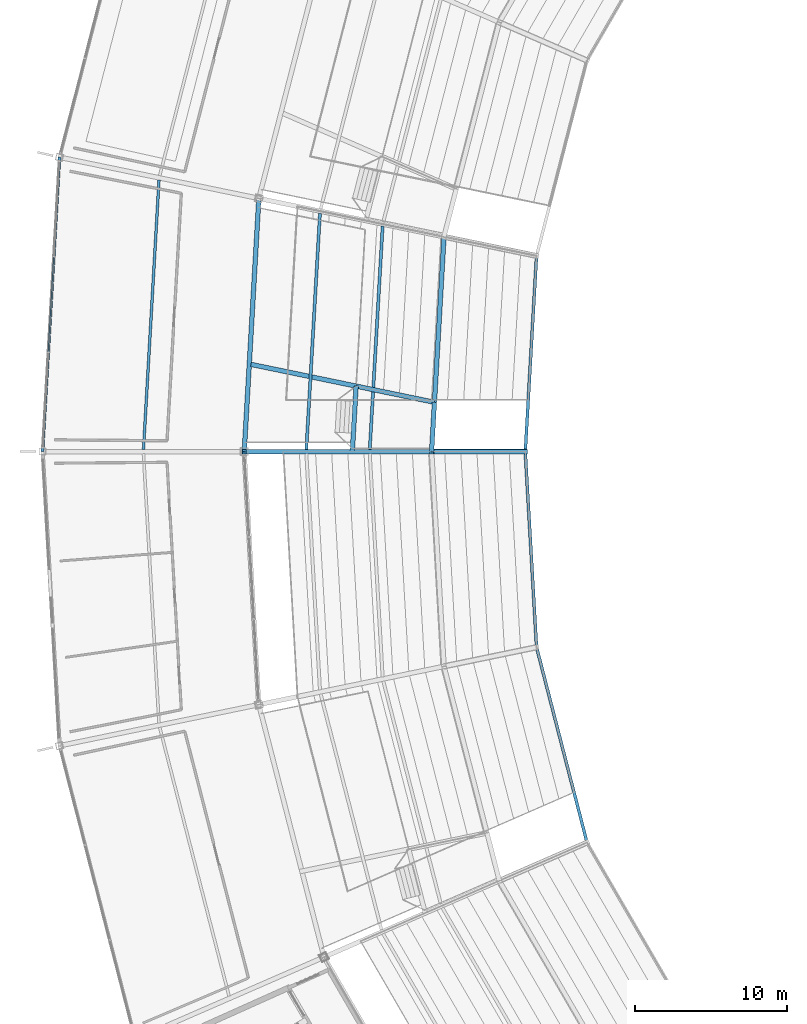
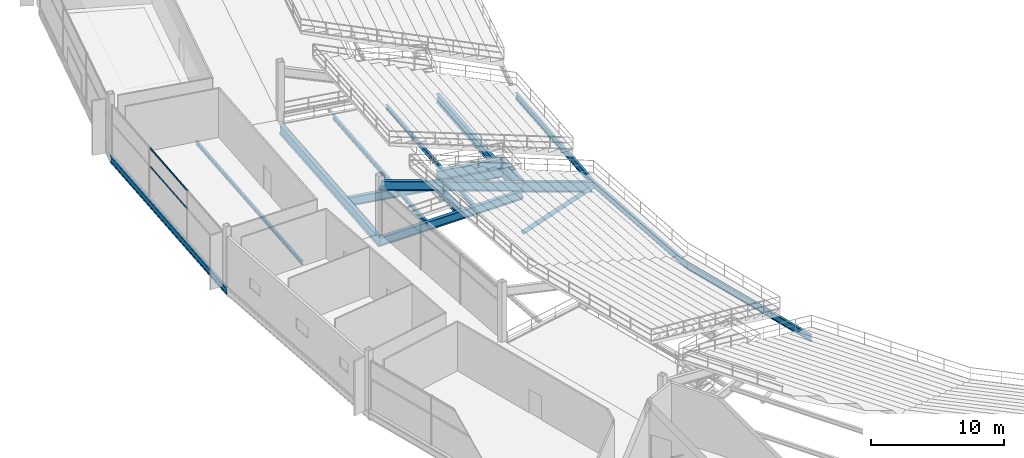
# One storey, part 48 of 186: 16 beams, 3 members, 1 element without a shape of its own.
"""IFC4 building model written with IfcOpenShell, lengths in metres."""

from ifc_helpers import new_model, si_unit, direction, frame, origin, origin_2d, place, context, subcontext, project, spatial, hollow_rectangle, hollow_circle, i_section, extrude, material, layer, layer_set, material_profile, profile_set, type_object, element, aggregate, save


model = new_model("IFC4")

# Units and contexts
model_context = context("Model", 3, precision=1e-05, world=origin(), true_north=direction((0.0, 1.0)))
body_context = subcontext(model_context, "Body", "Model", "MODEL_VIEW")
ifc_project = project(units=[si_unit("LENGTHUNIT", "METRE"), si_unit("AREAUNIT", "SQUARE_METRE"), si_unit("VOLUMEUNIT", "CUBIC_METRE"), si_unit("PLANEANGLEUNIT", "RADIAN"), si_unit("MASSUNIT", "GRAM", prefix="KILO")], contexts=[model_context])

# Site, building, storey
site_placement = place(None, origin())
site = spatial("IfcSite", under=ifc_project, at=site_placement, CompositionType="ELEMENT")
building_placement = place(site_placement, origin())
building = spatial("IfcBuilding", under=site, at=building_placement, Name="Kazemori Nagisa Stadium", CompositionType="ELEMENT")
storey_placement = place(building_placement, frame((0.0, 0.0, 20.39990234375)))
storey = spatial("IfcBuildingStorey", under=building, at=storey_placement, Name="L04", CompositionType="ELEMENT", Elevation=20.39990234375)

# Beams
ifc_material_1 = material(Name="Steel SN490B", Category="steel")
ifc_material_profile_1 = material_profile(ifc_material_1, i_section(OverallWidth=0.300048828125, OverallDepth=0.800048828125, WebThickness=0.013916015625, FlangeThickness=0.02587890625, FilletRadius=0.01806640625, at=origin_2d()), Name="H-800x300x14x26")
ifc_profile_set_1 = profile_set([ifc_material_profile_1], Name="Steel SN490B")
beam_type_1 = type_object("IfcBeamType", Name="Beam_BG-H800", PredefinedType="BEAM", material=ifc_profile_set_1)
beam_1_placement = place(storey_placement, frame((54.467041015625, 116.160400390625, -0.699951171875), z_axis=(-0.057610061423, -0.998339161219, 0.0), x_axis=(0.998339161219, -0.057610061423, 0.0)))
element("IfcBeam", 1, at=beam_1_placement, inside=storey, type_object=beam_type_1, Name="Ring girder BG-H800 L04 R1-14", PredefinedType="BEAM", context=body_context, shape_type="SweptSolid", body=[
    extrude(i_section(OverallWidth=0.300048828125, OverallDepth=0.800048828125, WebThickness=0.013916015625, FlangeThickness=0.02587890625, FilletRadius=0.01806640625, at=origin_2d()), origin(), (0.0, 0.0, 1.0), 14.183837890625),
])
for number, where, z_axis, x_axis, name in (
    (2, (53.64990234375, 102.0, -0.699951171875), (-1.0, 0.0, 0.0), (0.0, -1.0, 0.0), "Radial girder BG-H800 L04 R1-R2-15"),
    (3, (53.837158203125, 105.24462890625, -0.699951171875), (-0.979313132452, 0.202350657538, 0.0), (-0.202350657538, -0.979313132452, 0.0), "Upper vomitory radial carrier girder B14"),
):
    element("IfcBeam", number, at=place(storey_placement, frame(where, z_axis=z_axis, x_axis=x_axis)), inside=storey, type_object=beam_type_1, Name=name, PredefinedType="BEAM", context=body_context, shape_type="SweptSolid", body=[
        extrude(i_section(OverallWidth=0.300048828125, OverallDepth=0.800048828125, WebThickness=0.013916015625, FlangeThickness=0.02587890625, FilletRadius=0.01806640625, at=origin_2d()), origin(), (0.0, 0.0, 1.0), 12.349853515625),
    ])
ifc_material_profile_2 = material_profile(ifc_material_1, i_section(OverallWidth=0.300048828125, OverallDepth=0.89990234375, WebThickness=0.01611328125, FlangeThickness=0.028076171875, FilletRadius=0.01806640625, at=origin_2d()), Name="H-900x300x16x28")
ifc_profile_set_2 = profile_set([ifc_material_profile_2], Name="Steel SN490B")
beam_type_2 = type_object("IfcBeamType", Name="Beam_BG-H900", PredefinedType="BEAM", material=ifc_profile_set_2)
beam_2_placement = place(storey_placement, frame((42.262451171875, 118.68212890625, -0.75), z_axis=(-0.057594854854, -0.998340038611, 0.0), x_axis=(0.998340038611, -0.057594854854, 0.0)))
element("IfcBeam", 4, at=beam_2_placement, inside=storey, type_object=beam_type_2, Name="Ring girder BG-H900 L04 R2-14", PredefinedType="BEAM", context=body_context, shape_type="SweptSolid", body=[
    extrude(i_section(OverallWidth=0.300048828125, OverallDepth=0.89990234375, WebThickness=0.01611328125, FlangeThickness=0.028076171875, FilletRadius=0.01806640625, at=origin_2d()), origin(), (0.0, 0.0, 1.0), 16.7099609375),
])
ifc_material_profile_3 = material_profile(ifc_material_1, i_section(OverallWidth=0.300048828125, OverallDepth=0.89990234375, WebThickness=0.01806640625, FlangeThickness=0.031982421875, FilletRadius=0.01806640625, at=origin_2d()), Name="H-900x300x18x32")
ifc_profile_set_3 = profile_set([ifc_material_profile_3], Name="Steel SN490B")
beam_type_3 = type_object("IfcBeamType", Name="Beam_BG-TR900", PredefinedType="BEAM", material=ifc_profile_set_3)
beam_3_placement = place(storey_placement, frame((53.837158203125, 105.24462890625, 0.150146484375), z_axis=(-0.979312342256, 0.202354481803, 0.0), x_axis=(-0.202354481803, -0.979312342256, 0.0)))
element("IfcBeam", 5, at=beam_3_placement, inside=storey, type_object=beam_type_3, Name="Upper vomitory left transfer girder B14", PredefinedType="BEAM", context=body_context, shape_type="SweptSolid", body=[
    extrude(i_section(OverallWidth=0.300048828125, OverallDepth=0.89990234375, WebThickness=0.01806640625, FlangeThickness=0.031982421875, FilletRadius=0.01806640625, at=origin_2d()), origin(), (0.0, 0.0, 1.0), 5.2724609375),
])
beam_4_placement = place(storey_placement, frame((48.673828125, 106.3115234375, -0.75), z_axis=(-0.057605203337, -0.998339441547, 0.0), x_axis=(0.998339441547, -0.057605203337, 0.0)))
element("IfcBeam", 6, at=beam_4_placement, inside=storey, type_object=beam_type_3, Name="Upper vomitory portal header girder B14", PredefinedType="BEAM", context=body_context, shape_type="SweptSolid", body=[
    extrude(i_section(OverallWidth=0.300048828125, OverallDepth=0.89990234375, WebThickness=0.01806640625, FlangeThickness=0.031982421875, FilletRadius=0.01806640625, at=origin_2d()), origin(), (0.0, 0.0, 1.0), 4.318603515625),
])
beam_5_placement = place(storey_placement, frame((53.837158203125, 105.24462890625, 0.150146484375), z_axis=(-0.057616692486, -0.998338778545, 0.0), x_axis=(0.998338778545, -0.057616692486, 0.0)))
element("IfcBeam", 7, at=beam_5_placement, inside=storey, type_object=beam_type_3, Name="Upper vomitory inner sill girder B14", PredefinedType="BEAM", context=body_context, shape_type="SweptSolid", body=[
    extrude(i_section(OverallWidth=0.300048828125, OverallDepth=0.89990234375, WebThickness=0.01806640625, FlangeThickness=0.031982421875, FilletRadius=0.01806640625, at=origin_2d()), origin(), (0.0, 0.0, 1.0), 3.25),
])
ifc_material_profile_4 = material_profile(ifc_material_1, i_section(OverallWidth=0.175048828125, OverallDepth=0.35009765625, WebThickness=0.007080078125, FlangeThickness=0.010986328125, FilletRadius=0.012939453125, at=origin_2d()), Name="H-350x175x7x11")
ifc_profile_set_4 = profile_set([ifc_material_profile_4], Name="Steel SN490B")
beam_type_4 = type_object("IfcBeamType", Name="Beam_BJ-H350", PredefinedType="JOIST", material=ifc_profile_set_4)
beam_6_placement = place(storey_placement, frame((35.6826171875, 119.89501953125, -0.474853515625), z_axis=(-0.057603114818, -0.998339562055, 0.0), x_axis=(0.998339562055, -0.057603114818, 0.0)))
element("IfcBeam", 8, at=beam_6_placement, inside=storey, type_object=beam_type_4, Name="Outer bay joist BJ-H350 L04 B14", PredefinedType="JOIST", context=body_context, shape_type="SweptSolid", body=[
    extrude(i_section(OverallWidth=0.175048828125, OverallDepth=0.35009765625, WebThickness=0.007080078125, FlangeThickness=0.010986328125, FilletRadius=0.012939453125, at=origin_2d()), origin(), (0.0, 0.0, 1.0), 17.77978515625),
])
ifc_material_profile_5 = material_profile(ifc_material_1, i_section(OverallWidth=0.199951171875, OverallDepth=0.39990234375, WebThickness=0.008056640625, FlangeThickness=0.012939453125, FilletRadius=0.012939453125, at=origin_2d()), Name="H-400x200x8x13")
ifc_profile_set_5 = profile_set([ifc_material_profile_5], Name="Steel SN490B")
beam_type_5 = type_object("IfcBeamType", Name="Beam_BJ-H400", PredefinedType="JOIST", material=ifc_profile_set_5)
beam_7_placement = place(storey_placement, frame((50.421875, 116.849609375, -0.5), z_axis=(-0.057615279138, -0.998338860112, 0.0), x_axis=(0.998338860112, -0.057615279138, 0.0)))
element("IfcBeam", 9, at=beam_7_placement, inside=storey, type_object=beam_type_5, Name="Concourse joist BJ-H400 L04 B14-1", PredefinedType="JOIST", context=body_context, shape_type="SweptSolid", body=[
    extrude(i_section(OverallWidth=0.199951171875, OverallDepth=0.39990234375, WebThickness=0.008056640625, FlangeThickness=0.012939453125, FilletRadius=0.012939453125, at=origin_2d()), origin(), (0.0, 0.0, 1.0), 14.729248046875),
])
beam_8_placement = place(storey_placement, frame((46.291015625, 117.703125, -0.5), z_axis=(-0.057603441248, -0.99833954322, 0.0), x_axis=(0.99833954322, -0.057603441248, 0.0)))
element("IfcBeam", 10, at=beam_8_placement, inside=storey, type_object=beam_type_5, Name="Concourse joist BJ-H400 L04 B14-2", PredefinedType="JOIST", context=body_context, shape_type="SweptSolid", body=[
    extrude(i_section(OverallWidth=0.199951171875, OverallDepth=0.39990234375, WebThickness=0.008056640625, FlangeThickness=0.012939453125, FilletRadius=0.012939453125, at=origin_2d()), origin(), (0.0, 0.0, 1.0), 15.584228515625),
])
ifc_material_profile_6 = material_profile(ifc_material_1, i_section(OverallWidth=0.199951171875, OverallDepth=0.60009765625, WebThickness=0.010986328125, FlangeThickness=0.01708984375, FilletRadius=0.012939453125, at=origin_2d()), Name="H-600x200x11x17")
ifc_profile_set_6 = profile_set([ifc_material_profile_6], Name="Steel SN490B")
beam_type_6 = type_object("IfcBeamType", Name="Beam_BS-H600", PredefinedType="SPANDREL", material=ifc_profile_set_6)
beam_9_placement = place(storey_placement, frame((29.119140625, 121.397705078125, -0.599853515625), z_axis=(-0.057598702622, -0.998339816624, 0.0), x_axis=(0.998339816624, -0.057598702622, 0.0)))
element("IfcBeam", 11, at=beam_9_placement, inside=storey, type_object=beam_type_6, Name="Ring girder BS-H600 L04 R3-14", PredefinedType="SPANDREL", context=body_context, shape_type="SweptSolid", body=[
    extrude(i_section(OverallWidth=0.199951171875, OverallDepth=0.60009765625, WebThickness=0.010986328125, FlangeThickness=0.01708984375, FilletRadius=0.012939453125, at=origin_2d()), origin(), (0.0, 0.0, 1.0), 19.429931640625),
])
for number, where, z_axis, x_axis, name in (
    (12, (60.5693359375, 114.8994140625, -1.885009765625), (-0.057611021531, -0.998339105814, 0.0), (0.998339105814, -0.057611021531, 0.0), "Upper tier front ring beam 14"),
    (13, (59.824951171875, 102.0, -1.885009765625), (0.057611021531, -0.998339105814, 0.0), (0.998339105814, 0.057611021531, 0.0), "Upper tier front ring beam 15"),
):
    element("IfcBeam", number, at=place(storey_placement, frame(where, z_axis=z_axis, x_axis=x_axis)), inside=storey, type_object=beam_type_6, Name=name, PredefinedType="SPANDREL", context=body_context, shape_type="SweptSolid", body=[
        extrude(i_section(OverallWidth=0.199951171875, OverallDepth=0.60009765625, WebThickness=0.010986328125, FlangeThickness=0.01708984375, FilletRadius=0.012939453125, at=origin_2d()), origin(), (0.0, 0.0, 1.0), 12.9208984375),
    ])
beam_10_placement = place(storey_placement, frame((60.5693359375, 89.1005859375, -1.885009765625), z_axis=(0.249962460732, -0.968255528373, 0.0), x_axis=(0.968255528373, 0.249962460732, 0.0)))
element("IfcBeam", 14, at=beam_10_placement, inside=storey, type_object=beam_type_6, Name="Upper tier front ring beam 16", PredefinedType="SPANDREL", context=body_context, shape_type="SweptSolid", body=[
    extrude(i_section(OverallWidth=0.199951171875, OverallDepth=0.60009765625, WebThickness=0.010986328125, FlangeThickness=0.01708984375, FilletRadius=0.012939453125, at=origin_2d()), origin(), (0.0, 0.0, 1.0), 13.291015625),
])
ifc_material_profile_7 = material_profile(ifc_material_1, i_section(OverallWidth=0.300048828125, OverallDepth=0.800048828125, WebThickness=0.013916015625, FlangeThickness=0.02587890625, FilletRadius=0.01806640625, at=origin_2d()), Name="H-800x300x14x26")
ifc_profile_set_7 = profile_set([ifc_material_profile_7], Name="Steel SN490B")
beam_type_7 = type_object("IfcBeamType", Name="Beam_RK-ST800", PredefinedType="USERDEFINED", material=ifc_profile_set_7)
beam_11_placement = place(storey_placement, frame((53.64990234375, 102.0, 0.02001953125), z_axis=(-0.941269901804, 0.0, 0.337655107999), x_axis=(0.0, -1.0, 0.0)))
element("IfcBeam", 15, at=beam_11_placement, inside=storey, type_object=beam_type_7, Name="Raker beam upper backspan RK3-15B", ObjectType="RAKER BEAM", PredefinedType="USERDEFINED", context=body_context, shape_type="SweptSolid", body=[
    extrude(i_section(OverallWidth=0.300048828125, OverallDepth=0.800048828125, WebThickness=0.013916015625, FlangeThickness=0.02587890625, FilletRadius=0.01806640625, at=origin_2d()), origin(), (0.0, 0.0, 1.0), 13.120361328125),
])
ifc_material_profile_8 = material_profile(ifc_material_1, i_section(OverallWidth=0.300048828125, OverallDepth=0.89990234375, WebThickness=0.01611328125, FlangeThickness=0.028076171875, FilletRadius=0.01806640625, at=origin_2d()), Name="H-900x300x16x28")
ifc_profile_set_8 = profile_set([ifc_material_profile_8], Name="Steel SN490B")
beam_type_8 = type_object("IfcBeamType", Name="Beam_RK-ST900", PredefinedType="USERDEFINED", material=ifc_profile_set_8)
beam_12_placement = place(storey_placement, frame((59.824951171875, 102.0, -2.14990234375), z_axis=(-0.94344532031, 0.0, 0.331528170123), x_axis=(0.0, -1.0, 0.0)))
element("IfcBeam", 16, at=beam_12_placement, inside=storey, type_object=beam_type_8, Name="Raker beam upper cantilever RK3-15A", ObjectType="RAKER BEAM", PredefinedType="USERDEFINED", context=body_context, shape_type="SweptSolid", body=[
    extrude(i_section(OverallWidth=0.300048828125, OverallDepth=0.89990234375, WebThickness=0.01611328125, FlangeThickness=0.028076171875, FilletRadius=0.01806640625, at=origin_2d()), origin(), (0.0, 0.0, 1.0), 6.545166015625),
])

# Member
ifc_material_2 = material(Name="Steel STK490", Category="steel")
ifc_material_profile_9 = material_profile(ifc_material_2, hollow_circle(Radius=0.177734375, WallThickness=0.0126953125, at=origin_2d()), Name="CHS-355.6x12.7")
ifc_profile_set_9 = profile_set([ifc_material_profile_9], Name="Steel STK490")
member_type_1 = type_object("IfcMemberType", Name="Member_TB-CHS355", PredefinedType="BRACE", material=ifc_profile_set_9)
member_1_placement = place(storey_placement, frame((53.64990234375, 102.0, -4.25), z_axis=(0.946745590797, 0.0, 0.321982586962), x_axis=(0.0, 1.0, 0.0)))
element("IfcMember", 17, at=member_1_placement, inside=storey, type_object=member_type_1, Name="Upper tier cantilever truss strut UT-15", PredefinedType="BRACE", context=body_context, shape_type="SweptSolid", body=[
    extrude(hollow_circle(Radius=0.177734375, WallThickness=0.0126953125, at=origin_2d()), origin(), (0.0, 0.0, 1.0), 6.5224609375),
])

# Curtain wall, members
ifc_material_3 = material(Name="Anodised aluminium 6063-T5", Category="aluminium")
ifc_layer = layer(ifc_material_3, 0.179931640625, Name="Anodised aluminium 6063-T5", Category="aluminium")
ifc_layer_set = layer_set([ifc_layer], Name="Anodised aluminium 6063-T5")
curtain_wall_type = type_object("IfcCurtainWallType", Name="CW_L04R3_95", PredefinedType="USERDEFINED", material=ifc_layer_set)
curtain_wall_placement = place(storey_placement, origin())
curtain_wall = element("IfcCurtainWall", 18, at=curtain_wall_placement, inside=storey, type_object=curtain_wall_type, Name="Unitised curtain wall CW-L04R3-95 L04", ObjectType="UNITISED CURTAIN WALL", PredefinedType="USERDEFINED")
ifc_material_4 = material(Name="Aluminium 6063-T5 anodised", Category="aluminium")
ifc_material_profile_10 = material_profile(ifc_material_4, hollow_rectangle(XDim=0.070068359375, YDim=0.139892578125, WallThickness=0.00390625, at=origin_2d()), Name="ALU-TRAN-70x140x4")
ifc_profile_set_10 = profile_set([ifc_material_profile_10], Name="Aluminium 6063-T5 anodised")
member_type_2 = type_object("IfcMemberType", Name="Transom_T01", PredefinedType="USERDEFINED", material=ifc_profile_set_10)
member_2_placement = place(storey_placement, frame((28.739990234375, 114.826904296875, 2.80859375), z_axis=(-0.057582347061, -0.998340760115, 0.0), x_axis=(0.998340760115, -0.057582347061, 0.0)))
member_2 = element("IfcMember", 19, at=member_2_placement, type_object=member_type_2, Name="Curtain wall transom CW-L04R3-95-T2-mid", ObjectType="TRANSOM", PredefinedType="USERDEFINED", context=body_context, shape_type="SweptSolid", body=[
    extrude(hollow_rectangle(XDim=0.070068359375, YDim=0.139892578125, WallThickness=0.00390625, at=origin_2d()), origin(), (0.0, 0.0, 1.0), 6.2666015625),
])
member_3_placement = place(storey_placement, frame((28.739990234375, 114.826904296875, 4.460205078125), z_axis=(-0.057582347061, -0.998340760115, 0.0), x_axis=(0.998340760115, -0.057582347061, 0.0)))
member_3 = element("IfcMember", 20, at=member_3_placement, type_object=member_type_2, Name="Curtain wall transom CW-L04R3-95-T2-head", ObjectType="TRANSOM", PredefinedType="USERDEFINED", context=body_context, shape_type="SweptSolid", body=[
    extrude(hollow_rectangle(XDim=0.070068359375, YDim=0.139892578125, WallThickness=0.00390625, at=origin_2d()), origin(), (0.0, 0.0, 1.0), 6.2666015625),
])
aggregate(curtain_wall, [member_2, member_3])

save(model, "model.ifc")
